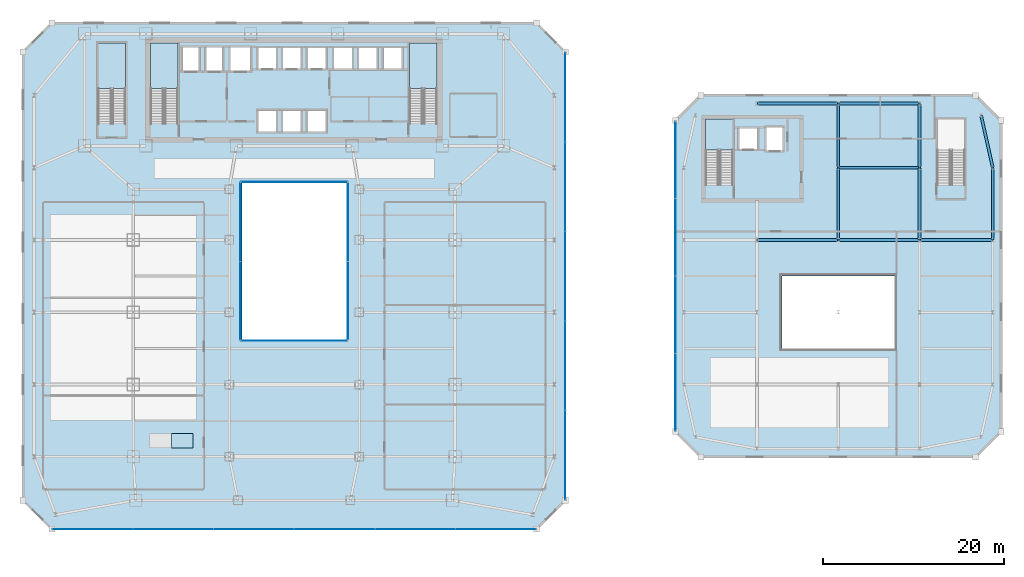
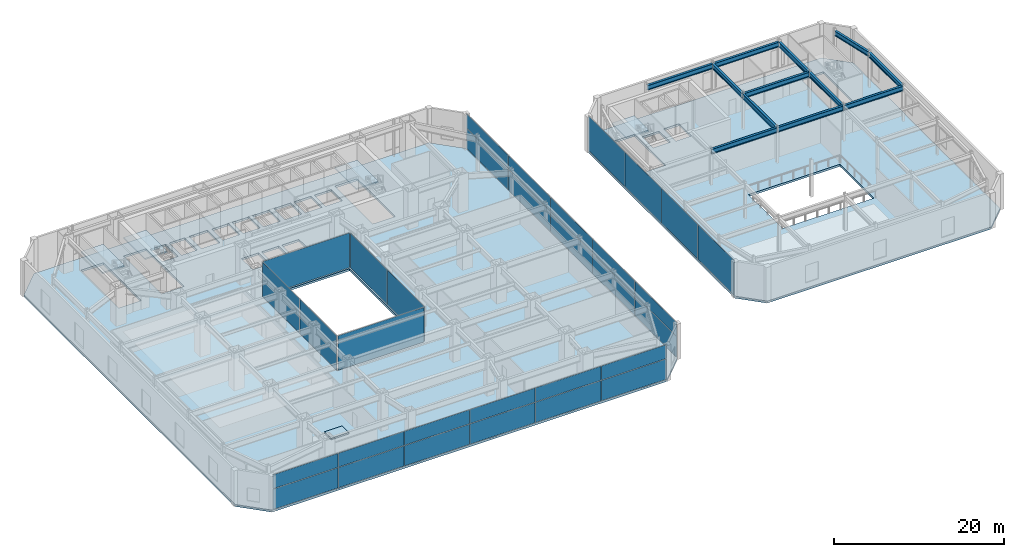
# One storey, part 37 of 52: 32 plates, 12 beams, 7 slabs, 12 elements without a shape of their own.
"""IFC4 building model written with IfcOpenShell, lengths in metres."""

from ifc_helpers import new_model, si_unit, direction, frame, origin, origin_2d, place, context, subcontext, project, spatial, polyline, rectangle, i_section, outline, extrude, material, layer, layer_set, material_profile, profile_set, type_object, element, aggregate, save


model = new_model("IFC4")

# Units and contexts
model_context = context("Model", 3, precision=1e-05, world=origin(), true_north=direction((0.0, 1.0)))
body_context = subcontext(model_context, "Body", "Model", "MODEL_VIEW")
ifc_project = project(units=[si_unit("LENGTHUNIT", "METRE"), si_unit("AREAUNIT", "SQUARE_METRE"), si_unit("VOLUMEUNIT", "CUBIC_METRE"), si_unit("PLANEANGLEUNIT", "RADIAN"), si_unit("MASSUNIT", "GRAM", prefix="KILO")], contexts=[model_context])

# Site, building, storey
site_placement = place(None, origin())
site = spatial("IfcSite", under=ifc_project, at=site_placement, CompositionType="ELEMENT")
building_placement = place(site_placement, origin())
building = spatial("IfcBuilding", under=site, at=building_placement, Name="Saevonmaru Cultural Tower", CompositionType="ELEMENT")
storey_placement = place(building_placement, frame((0.0, 0.0, 16.800048828125)))
storey = spatial("IfcBuildingStorey", under=building, at=storey_placement, Name="L03", CompositionType="ELEMENT", Elevation=16.800048828125)

# Beams
ifc_material_1 = material(Name="Steel SM355", Category="steel")
ifc_material_profile = material_profile(ifc_material_1, i_section(OverallWidth=0.300048828125, OverallDepth=0.699951171875, WebThickness=0.012939453125, FlangeThickness=0.02392578125, FilletRadius=0.02587890625, at=origin_2d()), Name="H-700x300x13x24")
ifc_profile_set = profile_set([ifc_material_profile], Name="Steel SM355")
beam_type = type_object("IfcBeamType", Name="BM-G-H700", PredefinedType="BEAM", material=ifc_profile_set)
for number, where, z_axis, x_axis, name in (
    (1, (81.260009765625, 32.0, 4.75), (1.0, 0.0, 0.0), (0.0, 1.0, 0.0), "L03 Library Girder EW-4-2"),
    (2, (90.260009765625, 32.0, 4.75), (1.0, 0.0, 0.0), (0.0, 1.0, 0.0), "L03 Library Girder EW-4-3"),
):
    element("IfcBeam", number, at=place(storey_placement, frame(where, z_axis=z_axis, x_axis=x_axis)), inside=storey, type_object=beam_type, Name=name, PredefinedType="BEAM", context=body_context, shape_type="SweptSolid", body=[
        extrude(i_section(OverallWidth=0.300048828125, OverallDepth=0.699951171875, WebThickness=0.012939453125, FlangeThickness=0.02392578125, FilletRadius=0.02587890625, at=origin_2d()), origin(), (0.0, 0.0, 1.0), 8.8798828125),
    ])
beam_1_placement = place(storey_placement, frame((99.260009765625, 32.0, 4.75), z_axis=(1.0, 0.0, 0.0), x_axis=(0.0, 1.0, 0.0)))
element("IfcBeam", 3, at=beam_1_placement, inside=storey, type_object=beam_type, Name="L03 Library Girder EW-4-4", PredefinedType="BEAM", context=body_context, shape_type="SweptSolid", body=[
    extrude(i_section(OverallWidth=0.300048828125, OverallDepth=0.699951171875, WebThickness=0.012939453125, FlangeThickness=0.02392578125, FilletRadius=0.02587890625, at=origin_2d()), origin(), (0.0, 0.0, 1.0), 7.97998046875),
])
for number, where, z_axis, x_axis, name in (
    (4, (90.260009765625, 40.0, 4.75), (1.0, 0.0, 0.0), (0.0, 1.0, 0.0), "L03 Library Girder EW-5-3"),
    (5, (81.260009765625, 47.10009765625, 4.75), (1.0, 0.0, 0.0), (0.0, 1.0, 0.0), "L03 Library Girder EW-6-2"),
    (6, (90.260009765625, 47.10009765625, 4.75), (1.0, 0.0, 0.0), (0.0, 1.0, 0.0), "L03 Library Girder EW-6-3"),
):
    element("IfcBeam", number, at=place(storey_placement, frame(where, z_axis=z_axis, x_axis=x_axis)), inside=storey, type_object=beam_type, Name=name, PredefinedType="BEAM", context=body_context, shape_type="SweptSolid", body=[
        extrude(i_section(OverallWidth=0.300048828125, OverallDepth=0.699951171875, WebThickness=0.012939453125, FlangeThickness=0.02392578125, FilletRadius=0.02587890625, at=origin_2d()), origin(), (0.0, 0.0, 1.0), 8.8798828125),
    ])
beam_2_placement = place(storey_placement, frame((90.199951171875, 32.06005859375, 4.75), z_axis=(0.0, 1.0, 0.0), x_axis=(-1.0, 0.0, 0.0)))
element("IfcBeam", 7, at=beam_2_placement, inside=storey, type_object=beam_type, Name="L03 Library Girder NS-3-4", PredefinedType="BEAM", context=body_context, shape_type="SweptSolid", body=[
    extrude(i_section(OverallWidth=0.300048828125, OverallDepth=0.699951171875, WebThickness=0.012939453125, FlangeThickness=0.02392578125, FilletRadius=0.02587890625, at=origin_2d()), origin(), (0.0, 0.0, 1.0), 7.8798828125),
])
beam_3_placement = place(storey_placement, frame((90.199951171875, 40.06005859375, 4.75), z_axis=(0.0, 1.0, 0.0), x_axis=(-1.0, 0.0, 0.0)))
element("IfcBeam", 8, at=beam_3_placement, inside=storey, type_object=beam_type, Name="L03 Library Girder NS-3-5", PredefinedType="BEAM", context=body_context, shape_type="SweptSolid", body=[
    extrude(i_section(OverallWidth=0.300048828125, OverallDepth=0.699951171875, WebThickness=0.012939453125, FlangeThickness=0.02392578125, FilletRadius=0.02587890625, at=origin_2d()), origin(), (0.0, 0.0, 1.0), 6.97998046875),
])
beam_4_placement = place(storey_placement, frame((99.199951171875, 32.06005859375, 4.75), z_axis=(0.0, 1.0, 0.0), x_axis=(-1.0, 0.0, 0.0)))
element("IfcBeam", 9, at=beam_4_placement, inside=storey, type_object=beam_type, Name="L03 Library Girder NS-4-4", PredefinedType="BEAM", context=body_context, shape_type="SweptSolid", body=[
    extrude(i_section(OverallWidth=0.300048828125, OverallDepth=0.699951171875, WebThickness=0.012939453125, FlangeThickness=0.02392578125, FilletRadius=0.02587890625, at=origin_2d()), origin(), (0.0, 0.0, 1.0), 7.8798828125),
])
beam_5_placement = place(storey_placement, frame((99.199951171875, 40.06005859375, 4.75), z_axis=(0.0, 1.0, 0.0), x_axis=(-1.0, 0.0, 0.0)))
element("IfcBeam", 10, at=beam_5_placement, inside=storey, type_object=beam_type, Name="L03 Library Girder NS-4-5", PredefinedType="BEAM", context=body_context, shape_type="SweptSolid", body=[
    extrude(i_section(OverallWidth=0.300048828125, OverallDepth=0.699951171875, WebThickness=0.012939453125, FlangeThickness=0.02392578125, FilletRadius=0.02587890625, at=origin_2d()), origin(), (0.0, 0.0, 1.0), 6.97998046875),
])
beam_6_placement = place(storey_placement, frame((107.300048828125, 32.06005859375, 4.75), z_axis=(0.0, 1.0, 0.0), x_axis=(-1.0, 0.0, 0.0)))
element("IfcBeam", 11, at=beam_6_placement, inside=storey, type_object=beam_type, Name="L03 Library Girder NS-5-4", PredefinedType="BEAM", context=body_context, shape_type="SweptSolid", body=[
    extrude(i_section(OverallWidth=0.300048828125, OverallDepth=0.699951171875, WebThickness=0.012939453125, FlangeThickness=0.02392578125, FilletRadius=0.02587890625, at=origin_2d()), origin(), (0.0, 0.0, 1.0), 7.8798828125),
])
beam_7_placement = place(storey_placement, frame((107.286865234375, 40.05859375, 4.75), z_axis=(-0.218701133908, 0.975791890737, 0.0), x_axis=(-0.975791890737, -0.218701133908, 0.0)))
element("IfcBeam", 12, at=beam_7_placement, inside=storey, type_object=beam_type, Name="L03 Library Girder NS-5-5", PredefinedType="BEAM", context=body_context, shape_type="SweptSolid", body=[
    extrude(i_section(OverallWidth=0.300048828125, OverallDepth=0.699951171875, WebThickness=0.012939453125, FlangeThickness=0.02392578125, FilletRadius=0.02587890625, at=origin_2d()), origin(), (0.0, 0.0, 1.0), 5.82373046875),
])

# Curtain wall, plate
ifc_material_2 = material(Name="Satin Bronze Anodised Aluminium", Category="aluminium")
curtain_wall_type_1 = type_object("IfcCurtainWallType", Name="CW-ATR-GLZ", PredefinedType="NOTDEFINED", material=ifc_material_2)
curtain_wall_1_placement = place(storey_placement, origin())
curtain_wall_1 = element("IfcCurtainWall", 13, at=curtain_wall_1_placement, inside=storey, type_object=curtain_wall_type_1, Name="L03 Vertical Atrium Glazed Smoke Screen 1", PredefinedType="NOTDEFINED")
ifc_material_3 = material(Name="Fire-Rated Laminated Atrium Glass", Category="glass")
ifc_layer_1 = layer(ifc_material_3, 0.031982421875, Name="Fire-Rated Laminated Atrium Glass")
ifc_layer_set_1 = layer_set([ifc_layer_1], Name="Fire-Rated Laminated Atrium Glass")
plate_type_1 = type_object("IfcPlateType", Name="PN-GLZ-ATR-INT", PredefinedType="CURTAIN_PANEL", material=ifc_layer_set_1)
plate_1_placement = place(storey_placement, frame((30.0, 20.85009765625, 0.06689453125), z_axis=(0.0, 0.0, 1.0), x_axis=(1.0, 0.0, 0.0)))
plate_1 = element("IfcPlate", 14, at=plate_1_placement, type_object=plate_type_1, Name="CW-ATR-L03-1 panel 1.1", PredefinedType="CURTAIN_PANEL", context=body_context, shape_type="SweptSolid", body=[
    extrude(rectangle(XDim=11.7109375, YDim=0.031982421875, at=origin_2d()), origin(), (0.0, 0.0, 1.0), 4.966064453125),
])
aggregate(curtain_wall_1, [plate_1])

# Curtain wall, plates
curtain_wall_2_placement = place(storey_placement, origin())
curtain_wall_2 = element("IfcCurtainWall", 15, at=curtain_wall_2_placement, inside=storey, type_object=curtain_wall_type_1, Name="L03 Vertical Atrium Glazed Smoke Screen 2", PredefinedType="NOTDEFINED")
plate_2_placement = place(storey_placement, frame((35.949951171875, 25.27490234375, 0.06689453125), z_axis=(0.0, 0.0, 1.0), x_axis=(0.0, 1.0, 0.0)))
plate_2 = element("IfcPlate", 16, at=plate_2_placement, type_object=plate_type_1, Name="CW-ATR-L03-2 panel 1.1", PredefinedType="CURTAIN_PANEL", context=body_context, shape_type="SweptSolid", body=[
    extrude(rectangle(XDim=8.660888671875, YDim=0.031982421875, at=origin_2d()), origin(), (0.0, 0.0, 1.0), 4.966064453125),
])
plate_3_placement = place(storey_placement, frame((35.949951171875, 34.0048828125, 0.06689453125), z_axis=(0.0, 0.0, 1.0), x_axis=(0.0, 1.0, 0.0)))
plate_3 = element("IfcPlate", 17, at=plate_3_placement, type_object=plate_type_1, Name="CW-ATR-L03-2 panel 2.1", PredefinedType="CURTAIN_PANEL", context=body_context, shape_type="SweptSolid", body=[
    extrude(rectangle(XDim=8.660888671875, YDim=0.031982421875, at=origin_2d()), origin(), (0.0, 0.0, 1.0), 4.966064453125),
])
aggregate(curtain_wall_2, [plate_2, plate_3])

# Curtain wall, plate
curtain_wall_3_placement = place(storey_placement, origin())
curtain_wall_3 = element("IfcCurtainWall", 18, at=curtain_wall_3_placement, inside=storey, type_object=curtain_wall_type_1, Name="L03 Vertical Atrium Glazed Smoke Screen 3", PredefinedType="NOTDEFINED")
plate_4_placement = place(storey_placement, frame((30.0, 38.429931640625, 0.06689453125), z_axis=(0.0, 0.0, 1.0), x_axis=(-1.0, 0.0, 0.0)))
plate_4 = element("IfcPlate", 19, at=plate_4_placement, type_object=plate_type_1, Name="CW-ATR-L03-3 panel 1.1", PredefinedType="CURTAIN_PANEL", context=body_context, shape_type="SweptSolid", body=[
    extrude(rectangle(XDim=11.7109375, YDim=0.031982421875, at=origin_2d()), origin(), (0.0, 0.0, 1.0), 4.966064453125),
])
aggregate(curtain_wall_3, [plate_4])

# Curtain wall, plates
curtain_wall_4_placement = place(storey_placement, origin())
curtain_wall_4 = element("IfcCurtainWall", 20, at=curtain_wall_4_placement, inside=storey, type_object=curtain_wall_type_1, Name="L03 Vertical Atrium Glazed Smoke Screen 4", PredefinedType="NOTDEFINED")
plate_5_placement = place(storey_placement, frame((24.050048828125, 34.0048828125, 0.06689453125), z_axis=(0.0, 0.0, 1.0), x_axis=(0.0, -1.0, 0.0)))
plate_5 = element("IfcPlate", 21, at=plate_5_placement, type_object=plate_type_1, Name="CW-ATR-L03-4 panel 1.1", PredefinedType="CURTAIN_PANEL", context=body_context, shape_type="SweptSolid", body=[
    extrude(rectangle(XDim=8.660888671875, YDim=0.031982421875, at=origin_2d()), origin(), (0.0, 0.0, 1.0), 4.966064453125),
])
plate_6_placement = place(storey_placement, frame((24.050048828125, 25.27490234375, 0.06689453125), z_axis=(0.0, 0.0, 1.0), x_axis=(0.0, -1.0, 0.0)))
plate_6 = element("IfcPlate", 22, at=plate_6_placement, type_object=plate_type_1, Name="CW-ATR-L03-4 panel 2.1", PredefinedType="CURTAIN_PANEL", context=body_context, shape_type="SweptSolid", body=[
    extrude(rectangle(XDim=8.660888671875, YDim=0.031982421875, at=origin_2d()), origin(), (0.0, 0.0, 1.0), 4.966064453125),
])
aggregate(curtain_wall_4, [plate_5, plate_6])

curtain_wall_type_2 = type_object("IfcCurtainWallType", Name="CW-POD-GLZ", PredefinedType="NOTDEFINED", material=ifc_material_2)
curtain_wall_5_placement = place(storey_placement, origin())
curtain_wall_5 = element("IfcCurtainWall", 23, at=curtain_wall_5_placement, inside=storey, type_object=curtain_wall_type_2, Name="L03 South Grand Foyer Curtain Wall", PredefinedType="NOTDEFINED")
ifc_material_4 = material(Name="Triple Silver Low-E Insulating Glass", Category="glass")
ifc_layer_2 = layer(ifc_material_4, 0.035888671875, Name="Triple Silver Low-E Insulating Glass")
ifc_layer_set_2 = layer_set([ifc_layer_2], Name="Triple Silver Low-E Insulating Glass")
plate_type_2 = type_object("IfcPlateType", Name="PN-GLZ-IGU", PredefinedType="CURTAIN_PANEL", material=ifc_layer_set_2)
plate_7_placement = place(storey_placement, frame((7.716552734375, 0.0, 0.06689453125), z_axis=(0.0, 0.0, 1.0), x_axis=(1.0, 0.0, 0.0)))
plate_7 = element("IfcPlate", 24, at=plate_7_placement, type_object=plate_type_2, Name="CW-POD-S-L03 panel 1.1", PredefinedType="CURTAIN_PANEL", context=body_context, shape_type="SweptSolid", body=[
    extrude(rectangle(XDim=8.84423828125, YDim=0.035888671875, at=origin_2d()), origin(), (0.0, 0.0, 1.0), 2.8984375),
])
plate_8_placement = place(storey_placement, frame((7.716552734375, 0.0, 3.034423828125), z_axis=(0.0, 0.0, 1.0), x_axis=(1.0, 0.0, 0.0)))
plate_8 = element("IfcPlate", 25, at=plate_8_placement, type_object=plate_type_2, Name="CW-POD-S-L03 panel 1.2", PredefinedType="CURTAIN_PANEL", context=body_context, shape_type="SweptSolid", body=[
    extrude(rectangle(XDim=8.84423828125, YDim=0.035888671875, at=origin_2d()), origin(), (0.0, 0.0, 1.0), 1.99853515625),
])
plate_9_placement = place(storey_placement, frame((16.6298828125, 0.0, 0.06689453125), z_axis=(0.0, 0.0, 1.0), x_axis=(1.0, 0.0, 0.0)))
plate_9 = element("IfcPlate", 26, at=plate_9_placement, type_object=plate_type_2, Name="CW-POD-S-L03 panel 2.1", PredefinedType="CURTAIN_PANEL", context=body_context, shape_type="SweptSolid", body=[
    extrude(rectangle(XDim=8.84423828125, YDim=0.035888671875, at=origin_2d()), origin(), (0.0, 0.0, 1.0), 2.8984375),
])
plate_10_placement = place(storey_placement, frame((16.6298828125, 0.0, 3.034423828125), z_axis=(0.0, 0.0, 1.0), x_axis=(1.0, 0.0, 0.0)))
plate_10 = element("IfcPlate", 27, at=plate_10_placement, type_object=plate_type_2, Name="CW-POD-S-L03 panel 2.2", PredefinedType="CURTAIN_PANEL", context=body_context, shape_type="SweptSolid", body=[
    extrude(rectangle(XDim=8.84423828125, YDim=0.035888671875, at=origin_2d()), origin(), (0.0, 0.0, 1.0), 1.99853515625),
])
plate_11_placement = place(storey_placement, frame((25.543212890625, 0.0, 0.06689453125), z_axis=(0.0, 0.0, 1.0), x_axis=(1.0, 0.0, 0.0)))
plate_11 = element("IfcPlate", 28, at=plate_11_placement, type_object=plate_type_2, Name="CW-POD-S-L03 panel 3.1", PredefinedType="CURTAIN_PANEL", context=body_context, shape_type="SweptSolid", body=[
    extrude(rectangle(XDim=8.84423828125, YDim=0.035888671875, at=origin_2d()), origin(), (0.0, 0.0, 1.0), 2.8984375),
])
plate_12_placement = place(storey_placement, frame((25.543212890625, 0.0, 3.034423828125), z_axis=(0.0, 0.0, 1.0), x_axis=(1.0, 0.0, 0.0)))
plate_12 = element("IfcPlate", 29, at=plate_12_placement, type_object=plate_type_2, Name="CW-POD-S-L03 panel 3.2", PredefinedType="CURTAIN_PANEL", context=body_context, shape_type="SweptSolid", body=[
    extrude(rectangle(XDim=8.84423828125, YDim=0.035888671875, at=origin_2d()), origin(), (0.0, 0.0, 1.0), 1.99853515625),
])
plate_13_placement = place(storey_placement, frame((34.456787109375, 0.0, 0.06689453125), z_axis=(0.0, 0.0, 1.0), x_axis=(1.0, 0.0, 0.0)))
plate_13 = element("IfcPlate", 30, at=plate_13_placement, type_object=plate_type_2, Name="CW-POD-S-L03 panel 4.1", PredefinedType="CURTAIN_PANEL", context=body_context, shape_type="SweptSolid", body=[
    extrude(rectangle(XDim=8.84423828125, YDim=0.035888671875, at=origin_2d()), origin(), (0.0, 0.0, 1.0), 2.8984375),
])
plate_14_placement = place(storey_placement, frame((34.456787109375, 0.0, 3.034423828125), z_axis=(0.0, 0.0, 1.0), x_axis=(1.0, 0.0, 0.0)))
plate_14 = element("IfcPlate", 31, at=plate_14_placement, type_object=plate_type_2, Name="CW-POD-S-L03 panel 4.2", PredefinedType="CURTAIN_PANEL", context=body_context, shape_type="SweptSolid", body=[
    extrude(rectangle(XDim=8.84423828125, YDim=0.035888671875, at=origin_2d()), origin(), (0.0, 0.0, 1.0), 1.99853515625),
])
plate_15_placement = place(storey_placement, frame((43.3701171875, 0.0, 0.06689453125), z_axis=(0.0, 0.0, 1.0), x_axis=(1.0, 0.0, 0.0)))
plate_15 = element("IfcPlate", 32, at=plate_15_placement, type_object=plate_type_2, Name="CW-POD-S-L03 panel 5.1", PredefinedType="CURTAIN_PANEL", context=body_context, shape_type="SweptSolid", body=[
    extrude(rectangle(XDim=8.84423828125, YDim=0.035888671875, at=origin_2d()), origin(), (0.0, 0.0, 1.0), 2.8984375),
])
plate_16_placement = place(storey_placement, frame((43.3701171875, 0.0, 3.034423828125), z_axis=(0.0, 0.0, 1.0), x_axis=(1.0, 0.0, 0.0)))
plate_16 = element("IfcPlate", 33, at=plate_16_placement, type_object=plate_type_2, Name="CW-POD-S-L03 panel 5.2", PredefinedType="CURTAIN_PANEL", context=body_context, shape_type="SweptSolid", body=[
    extrude(rectangle(XDim=8.84423828125, YDim=0.035888671875, at=origin_2d()), origin(), (0.0, 0.0, 1.0), 1.99853515625),
])
plate_17_placement = place(storey_placement, frame((52.283447265625, 0.0, 0.06689453125), z_axis=(0.0, 0.0, 1.0), x_axis=(1.0, 0.0, 0.0)))
plate_17 = element("IfcPlate", 34, at=plate_17_placement, type_object=plate_type_2, Name="CW-POD-S-L03 panel 6.1", PredefinedType="CURTAIN_PANEL", context=body_context, shape_type="SweptSolid", body=[
    extrude(rectangle(XDim=8.84423828125, YDim=0.035888671875, at=origin_2d()), origin(), (0.0, 0.0, 1.0), 2.8984375),
])
plate_18_placement = place(storey_placement, frame((52.283447265625, 0.0, 3.034423828125), z_axis=(0.0, 0.0, 1.0), x_axis=(1.0, 0.0, 0.0)))
plate_18 = element("IfcPlate", 35, at=plate_18_placement, type_object=plate_type_2, Name="CW-POD-S-L03 panel 6.2", PredefinedType="CURTAIN_PANEL", context=body_context, shape_type="SweptSolid", body=[
    extrude(rectangle(XDim=8.84423828125, YDim=0.035888671875, at=origin_2d()), origin(), (0.0, 0.0, 1.0), 1.99853515625),
])
aggregate(curtain_wall_5, [plate_7, plate_8, plate_9, plate_10, plate_11, plate_12, plate_13, plate_14, plate_15, plate_16, plate_17, plate_18])

curtain_wall_6_placement = place(storey_placement, origin())
curtain_wall_6 = element("IfcCurtainWall", 36, at=curtain_wall_6_placement, inside=storey, type_object=curtain_wall_type_2, Name="L03 Saevon Plaza Curtain Wall", PredefinedType="NOTDEFINED")
plate_19_placement = place(storey_placement, frame((60.0, 8.2080078125, 0.06689453125), z_axis=(0.0, 0.0, 1.0), x_axis=(0.0, 1.0, 0.0)))
plate_19 = element("IfcPlate", 37, at=plate_19_placement, type_object=plate_type_2, Name="CW-POD-E-L03 panel 1.1", PredefinedType="CURTAIN_PANEL", context=body_context, shape_type="SweptSolid", body=[
    extrude(rectangle(XDim=9.826904296875, YDim=0.035888671875, at=origin_2d()), origin(), (0.0, 0.0, 1.0), 2.8984375),
])
plate_20_placement = place(storey_placement, frame((60.0, 8.2080078125, 3.034423828125), z_axis=(0.0, 0.0, 1.0), x_axis=(0.0, 1.0, 0.0)))
plate_20 = element("IfcPlate", 38, at=plate_20_placement, type_object=plate_type_2, Name="CW-POD-E-L03 panel 1.2", PredefinedType="CURTAIN_PANEL", context=body_context, shape_type="SweptSolid", body=[
    extrude(rectangle(XDim=9.826904296875, YDim=0.035888671875, at=origin_2d()), origin(), (0.0, 0.0, 1.0), 1.99853515625),
])
plate_21_placement = place(storey_placement, frame((60.0, 18.10400390625, 0.06689453125), z_axis=(0.0, 0.0, 1.0), x_axis=(0.0, 1.0, 0.0)))
plate_21 = element("IfcPlate", 39, at=plate_21_placement, type_object=plate_type_2, Name="CW-POD-E-L03 panel 2.1", PredefinedType="CURTAIN_PANEL", context=body_context, shape_type="SweptSolid", body=[
    extrude(rectangle(XDim=9.826904296875, YDim=0.035888671875, at=origin_2d()), origin(), (0.0, 0.0, 1.0), 2.8984375),
])
plate_22_placement = place(storey_placement, frame((60.0, 18.10400390625, 3.034423828125), z_axis=(0.0, 0.0, 1.0), x_axis=(0.0, 1.0, 0.0)))
plate_22 = element("IfcPlate", 40, at=plate_22_placement, type_object=plate_type_2, Name="CW-POD-E-L03 panel 2.2", PredefinedType="CURTAIN_PANEL", context=body_context, shape_type="SweptSolid", body=[
    extrude(rectangle(XDim=9.826904296875, YDim=0.035888671875, at=origin_2d()), origin(), (0.0, 0.0, 1.0), 1.99853515625),
])
plate_23_placement = place(storey_placement, frame((60.0, 28.0, 0.06689453125), z_axis=(0.0, 0.0, 1.0), x_axis=(0.0, 1.0, 0.0)))
plate_23 = element("IfcPlate", 41, at=plate_23_placement, type_object=plate_type_2, Name="CW-POD-E-L03 panel 3.1", PredefinedType="CURTAIN_PANEL", context=body_context, shape_type="SweptSolid", body=[
    extrude(rectangle(XDim=9.826904296875, YDim=0.035888671875, at=origin_2d()), origin(), (0.0, 0.0, 1.0), 2.8984375),
])
plate_24_placement = place(storey_placement, frame((60.0, 28.0, 3.034423828125), z_axis=(0.0, 0.0, 1.0), x_axis=(0.0, 1.0, 0.0)))
plate_24 = element("IfcPlate", 42, at=plate_24_placement, type_object=plate_type_2, Name="CW-POD-E-L03 panel 3.2", PredefinedType="CURTAIN_PANEL", context=body_context, shape_type="SweptSolid", body=[
    extrude(rectangle(XDim=9.826904296875, YDim=0.035888671875, at=origin_2d()), origin(), (0.0, 0.0, 1.0), 1.99853515625),
])
plate_25_placement = place(storey_placement, frame((60.0, 37.89599609375, 0.06689453125), z_axis=(0.0, 0.0, 1.0), x_axis=(0.0, 1.0, 0.0)))
plate_25 = element("IfcPlate", 43, at=plate_25_placement, type_object=plate_type_2, Name="CW-POD-E-L03 panel 4.1", PredefinedType="CURTAIN_PANEL", context=body_context, shape_type="SweptSolid", body=[
    extrude(rectangle(XDim=9.826904296875, YDim=0.035888671875, at=origin_2d()), origin(), (0.0, 0.0, 1.0), 2.8984375),
])
plate_26_placement = place(storey_placement, frame((60.0, 37.89599609375, 3.034423828125), z_axis=(0.0, 0.0, 1.0), x_axis=(0.0, 1.0, 0.0)))
plate_26 = element("IfcPlate", 44, at=plate_26_placement, type_object=plate_type_2, Name="CW-POD-E-L03 panel 4.2", PredefinedType="CURTAIN_PANEL", context=body_context, shape_type="SweptSolid", body=[
    extrude(rectangle(XDim=9.826904296875, YDim=0.035888671875, at=origin_2d()), origin(), (0.0, 0.0, 1.0), 1.99853515625),
])
plate_27_placement = place(storey_placement, frame((60.0, 47.7919921875, 0.06689453125), z_axis=(0.0, 0.0, 1.0), x_axis=(0.0, 1.0, 0.0)))
plate_27 = element("IfcPlate", 45, at=plate_27_placement, type_object=plate_type_2, Name="CW-POD-E-L03 panel 5.1", PredefinedType="CURTAIN_PANEL", context=body_context, shape_type="SweptSolid", body=[
    extrude(rectangle(XDim=9.826904296875, YDim=0.035888671875, at=origin_2d()), origin(), (0.0, 0.0, 1.0), 2.8984375),
])
plate_28_placement = place(storey_placement, frame((60.0, 47.7919921875, 3.034423828125), z_axis=(0.0, 0.0, 1.0), x_axis=(0.0, 1.0, 0.0)))
plate_28 = element("IfcPlate", 46, at=plate_28_placement, type_object=plate_type_2, Name="CW-POD-E-L03 panel 5.2", PredefinedType="CURTAIN_PANEL", context=body_context, shape_type="SweptSolid", body=[
    extrude(rectangle(XDim=9.826904296875, YDim=0.035888671875, at=origin_2d()), origin(), (0.0, 0.0, 1.0), 1.99853515625),
])
aggregate(curtain_wall_6, [plate_19, plate_20, plate_21, plate_22, plate_23, plate_24, plate_25, plate_26, plate_27, plate_28])

curtain_wall_type_3 = type_object("IfcCurtainWallType", Name="CW-LIB-GLZ", PredefinedType="NOTDEFINED", material=ifc_material_2)
curtain_wall_7_placement = place(storey_placement, origin())
curtain_wall_7 = element("IfcCurtainWall", 47, at=curtain_wall_7_placement, inside=storey, type_object=curtain_wall_type_3, Name="L03 Central Library Reading Hall Curtain Wall 8", PredefinedType="NOTDEFINED")
plate_29_placement = place(storey_placement, frame((72.199951171875, 40.85498046875, 0.06689453125), z_axis=(0.0, 0.0, 1.0), x_axis=(0.0, -1.0, 0.0)))
plate_29 = element("IfcPlate", 48, at=plate_29_placement, type_object=plate_type_2, Name="CW-LIB-8-L03 panel 1.1", PredefinedType="CURTAIN_PANEL", context=body_context, shape_type="SweptSolid", body=[
    extrude(rectangle(XDim=8.5009765625, YDim=0.035888671875, at=origin_2d()), origin(), (0.0, 0.0, 1.0), 4.966064453125),
])
plate_30_placement = place(storey_placement, frame((72.199951171875, 32.284912109375, 0.06689453125), z_axis=(0.0, 0.0, 1.0), x_axis=(0.0, -1.0, 0.0)))
plate_30 = element("IfcPlate", 49, at=plate_30_placement, type_object=plate_type_2, Name="CW-LIB-8-L03 panel 2.1", PredefinedType="CURTAIN_PANEL", context=body_context, shape_type="SweptSolid", body=[
    extrude(rectangle(XDim=8.5009765625, YDim=0.035888671875, at=origin_2d()), origin(), (0.0, 0.0, 1.0), 4.966064453125),
])
plate_31_placement = place(storey_placement, frame((72.199951171875, 23.715087890625, 0.06689453125), z_axis=(0.0, 0.0, 1.0), x_axis=(0.0, -1.0, 0.0)))
plate_31 = element("IfcPlate", 50, at=plate_31_placement, type_object=plate_type_2, Name="CW-LIB-8-L03 panel 3.1", PredefinedType="CURTAIN_PANEL", context=body_context, shape_type="SweptSolid", body=[
    extrude(rectangle(XDim=8.5009765625, YDim=0.035888671875, at=origin_2d()), origin(), (0.0, 0.0, 1.0), 4.966064453125),
])
plate_32_placement = place(storey_placement, frame((72.199951171875, 15.14501953125, 0.06689453125), z_axis=(0.0, 0.0, 1.0), x_axis=(0.0, -1.0, 0.0)))
plate_32 = element("IfcPlate", 51, at=plate_32_placement, type_object=plate_type_2, Name="CW-LIB-8-L03 panel 4.1", PredefinedType="CURTAIN_PANEL", context=body_context, shape_type="SweptSolid", body=[
    extrude(rectangle(XDim=8.5009765625, YDim=0.035888671875, at=origin_2d()), origin(), (0.0, 0.0, 1.0), 4.966064453125),
])
aggregate(curtain_wall_7, [plate_29, plate_30, plate_31, plate_32])

# Ramp, slab
ifc_material_5 = material(Name="Concrete C40/50", Category="concrete")
ramp_type = type_object("IfcRampType", Name="RMP-PED-1600", PredefinedType="STRAIGHT_RUN_RAMP", material=ifc_material_5)
ramp_placement = place(storey_placement, origin())
ramp = element("IfcRamp", 52, at=ramp_placement, inside=storey, type_object=ramp_type, Name="L03 Barrier-Free Gallery Dais Ramp PR-3", PredefinedType="STRAIGHT_RUN_RAMP")
ifc_layer_3 = layer(ifc_material_5, 0.199951171875, Name="Concrete C40/50")
ifc_layer_set_3 = layer_set([ifc_layer_3], Name="Concrete C40/50")
slab_type_1 = type_object("IfcSlabType", Name="SL-DAIS-200", PredefinedType="LANDING", material=ifc_layer_set_3)
slab_1_placement = place(storey_placement, origin())
slab_1 = element("IfcSlab", 53, at=slab_1_placement, type_object=slab_type_1, Name="L03 Gallery Exhibition Dais Landing 3", PredefinedType="LANDING", context=body_context, shape_type="SweptSolid", body=[
    extrude(outline(polyline([(16.39990234375, 9.0), (18.800048828125, 9.0), (18.800048828125, 10.60009765625), (16.39990234375, 10.60009765625), (16.39990234375, 9.0)])), origin(), (0.0, 0.0, 1.0), 0.199951171875),
])
aggregate(ramp, [slab_1])

# Slabs
ifc_layer_4 = layer(ifc_material_5, 0.300048828125, Name="Concrete C40/50")
ifc_layer_set_4 = layer_set([ifc_layer_4], Name="Concrete C40/50")
slab_type_2 = type_object("IfcSlabType", Name="SL-FLR-300", PredefinedType="FLOOR", material=ifc_layer_set_4)
slab_2_placement = place(storey_placement, frame((0.0, 0.0, -0.300048828125)))
element("IfcSlab", 54, at=slab_2_placement, inside=storey, type_object=slab_type_2, Name="L03 Tower Structural Floor Slab", PredefinedType="FLOOR", context=body_context, shape_type="SweptSolid", body=[
    extrude(outline(polyline([(0.0, 3.199951171875), (3.199951171875, 0.0), (56.800048828125, 0.0), (60.0, 3.199951171875), (60.0, 52.800048828125), (56.800048828125, 56.0), (3.199951171875, 56.0), (0.0, 52.800048828125), (0.0, 3.199951171875)]), holes=[polyline([(45.800048828125, 44.875), (42.75, 44.875), (42.75, 53.800048828125), (45.800048828125, 53.800048828125), (45.800048828125, 44.875)]), polyline([(39.75, 50.800048828125), (39.75, 53.39990234375), (42.050048828125, 53.39990234375), (42.050048828125, 50.800048828125), (39.75, 50.800048828125)]), polyline([(37.0, 50.800048828125), (37.0, 53.39990234375), (39.300048828125, 53.39990234375), (39.300048828125, 50.800048828125), (37.0, 50.800048828125)]), polyline([(34.25, 50.800048828125), (34.25, 53.39990234375), (36.550048828125, 53.39990234375), (36.550048828125, 50.800048828125), (34.25, 50.800048828125)]), polyline([(24.199951171875, 21.0), (24.199951171875, 38.280029296875), (35.800048828125, 38.280029296875), (35.800048828125, 21.0), (24.199951171875, 21.0)]), polyline([(31.35009765625, 50.800048828125), (31.35009765625, 53.39990234375), (33.64990234375, 53.39990234375), (33.64990234375, 50.800048828125), (31.35009765625, 50.800048828125)]), polyline([(31.35009765625, 43.85009765625), (31.35009765625, 46.449951171875), (33.64990234375, 46.449951171875), (33.64990234375, 43.85009765625), (31.35009765625, 43.85009765625)]), polyline([(28.60009765625, 43.85009765625), (28.60009765625, 46.449951171875), (30.89990234375, 46.449951171875), (30.89990234375, 43.85009765625), (28.60009765625, 43.85009765625)]), polyline([(28.60009765625, 50.800048828125), (28.60009765625, 53.39990234375), (30.89990234375, 53.39990234375), (30.89990234375, 50.800048828125), (28.60009765625, 50.800048828125)]), polyline([(25.85009765625, 50.800048828125), (25.85009765625, 53.39990234375), (28.14990234375, 53.39990234375), (28.14990234375, 50.800048828125), (25.85009765625, 50.800048828125)]), polyline([(25.85009765625, 43.85009765625), (25.85009765625, 46.449951171875), (28.14990234375, 46.449951171875), (28.14990234375, 43.85009765625), (25.85009765625, 43.85009765625)]), polyline([(22.800048828125, 50.550048828125), (22.800048828125, 53.449951171875), (25.300048828125, 53.449951171875), (25.300048828125, 50.550048828125), (22.800048828125, 50.550048828125)]), polyline([(20.10009765625, 50.550048828125), (20.10009765625, 53.449951171875), (22.199951171875, 53.449951171875), (22.199951171875, 50.550048828125), (20.10009765625, 50.550048828125)]), polyline([(17.5, 50.550048828125), (17.5, 53.449951171875), (19.60009765625, 53.449951171875), (19.60009765625, 50.550048828125), (17.5, 50.550048828125)]), polyline([(17.14990234375, 44.875), (14.10009765625, 44.875), (14.10009765625, 53.800048828125), (17.14990234375, 53.800048828125), (17.14990234375, 44.875)]), polyline([(11.35009765625, 44.875), (8.300048828125, 44.875), (8.300048828125, 53.800048828125), (11.35009765625, 53.800048828125), (11.35009765625, 44.875)])]), origin(), (0.0, 0.0, 1.0), 0.300048828125),
])
slab_3_placement = place(storey_placement, frame((0.0, 0.0, -0.300048828125)))
element("IfcSlab", 55, at=slab_3_placement, inside=storey, type_object=slab_type_2, Name="L03 Central Library Structural Floor Slab", PredefinedType="FLOOR", context=body_context, shape_type="SweptSolid", body=[
    extrude(outline(polyline([(72.199951171875, 10.800048828125), (75.0, 8.0), (105.39990234375, 8.0), (108.199951171875, 10.800048828125), (108.199951171875, 45.199951171875), (105.39990234375, 48.0), (75.0, 48.0), (72.199951171875, 45.199951171875), (72.199951171875, 10.800048828125)]), holes=[polyline([(101.14990234375, 45.39990234375), (104.199951171875, 45.39990234375), (104.199951171875, 38.074951171875), (101.14990234375, 38.074951171875), (101.14990234375, 45.39990234375)]), polyline([(96.39990234375, 28.0), (96.39990234375, 20.0), (84.0, 20.0), (84.0, 28.0), (96.39990234375, 28.0)]), polyline([(84.199951171875, 41.75), (82.10009765625, 41.75), (82.10009765625, 44.64990234375), (84.199951171875, 44.64990234375), (84.199951171875, 41.75)]), polyline([(81.39990234375, 41.89990234375), (79.10009765625, 41.89990234375), (79.10009765625, 44.5), (81.39990234375, 44.5), (81.39990234375, 41.89990234375)]), polyline([(75.5, 45.39990234375), (78.550048828125, 45.39990234375), (78.550048828125, 38.074951171875), (75.5, 38.074951171875), (75.5, 45.39990234375)])]), origin(), (0.0, 0.0, 1.0), 0.300048828125),
])

# Stair, slab
stair_type = type_object("IfcStairType", Name="STR-DOGLEG-RC", PredefinedType="HALF_TURN_STAIR", material=ifc_material_5)
stair_1_placement = place(storey_placement, origin())
stair_1 = element("IfcStair", 56, at=stair_1_placement, inside=storey, type_object=stair_type, Name="L03 Protected exit stair LST-1", PredefinedType="HALF_TURN_STAIR")
ifc_layer_5 = layer(ifc_material_5, 0.199951171875, Name="Concrete C40/50")
ifc_layer_set_5 = layer_set([ifc_layer_5], Name="Concrete C40/50")
slab_type_3 = type_object("IfcSlabType", Name="SL-STAIR-LANDING", PredefinedType="LANDING", material=ifc_layer_set_5)
slab_4_placement = place(storey_placement, frame((0.0, 0.0, 2.5)))
slab_4 = element("IfcSlab", 57, at=slab_4_placement, type_object=slab_type_3, Name="LST-1-L03 landing 1", PredefinedType="LANDING", context=body_context, shape_type="SweptSolid", body=[
    extrude(outline(polyline([(78.550048828125, 41.969970703125), (78.550048828125, 45.39990234375), (75.5, 45.39990234375), (75.5, 41.969970703125), (78.550048828125, 41.969970703125)])), origin(), (0.0, 0.0, 1.0), 0.199951171875),
])
aggregate(stair_1, [slab_4])

stair_2_placement = place(storey_placement, origin())
stair_2 = element("IfcStair", 58, at=stair_2_placement, inside=storey, type_object=stair_type, Name="L03 Protected exit stair ST-1", PredefinedType="HALF_TURN_STAIR")
slab_5_placement = place(storey_placement, frame((0.0, 0.0, 2.5)))
slab_5 = element("IfcSlab", 59, at=slab_5_placement, type_object=slab_type_3, Name="ST-1-L03 landing 1", PredefinedType="LANDING", context=body_context, shape_type="SweptSolid", body=[
    extrude(outline(polyline([(17.14990234375, 48.77001953125), (17.14990234375, 53.800048828125), (14.10009765625, 53.800048828125), (14.10009765625, 48.77001953125), (17.14990234375, 48.77001953125)])), origin(), (0.0, 0.0, 1.0), 0.199951171875),
])
aggregate(stair_2, [slab_5])

stair_3_placement = place(storey_placement, origin())
stair_3 = element("IfcStair", 60, at=stair_3_placement, inside=storey, type_object=stair_type, Name="L03 Protected exit stair ST-2", PredefinedType="HALF_TURN_STAIR")
slab_6_placement = place(storey_placement, frame((0.0, 0.0, 2.5)))
slab_6 = element("IfcSlab", 61, at=slab_6_placement, type_object=slab_type_3, Name="ST-2-L03 landing 1", PredefinedType="LANDING", context=body_context, shape_type="SweptSolid", body=[
    extrude(outline(polyline([(45.800048828125, 48.77001953125), (45.800048828125, 53.800048828125), (42.75, 53.800048828125), (42.75, 48.77001953125), (45.800048828125, 48.77001953125)])), origin(), (0.0, 0.0, 1.0), 0.199951171875),
])
aggregate(stair_3, [slab_6])

stair_4_placement = place(storey_placement, origin())
stair_4 = element("IfcStair", 62, at=stair_4_placement, inside=storey, type_object=stair_type, Name="L03 Protected exit stair ST-3", PredefinedType="HALF_TURN_STAIR")
slab_7_placement = place(storey_placement, frame((0.0, 0.0, 2.5)))
slab_7 = element("IfcSlab", 63, at=slab_7_placement, type_object=slab_type_3, Name="ST-3-L03 landing 1", PredefinedType="LANDING", context=body_context, shape_type="SweptSolid", body=[
    extrude(outline(polyline([(11.35009765625, 48.77001953125), (11.35009765625, 53.800048828125), (8.300048828125, 53.800048828125), (8.300048828125, 48.77001953125), (11.35009765625, 48.77001953125)])), origin(), (0.0, 0.0, 1.0), 0.199951171875),
])
aggregate(stair_4, [slab_7])

save(model, "model.ifc")
